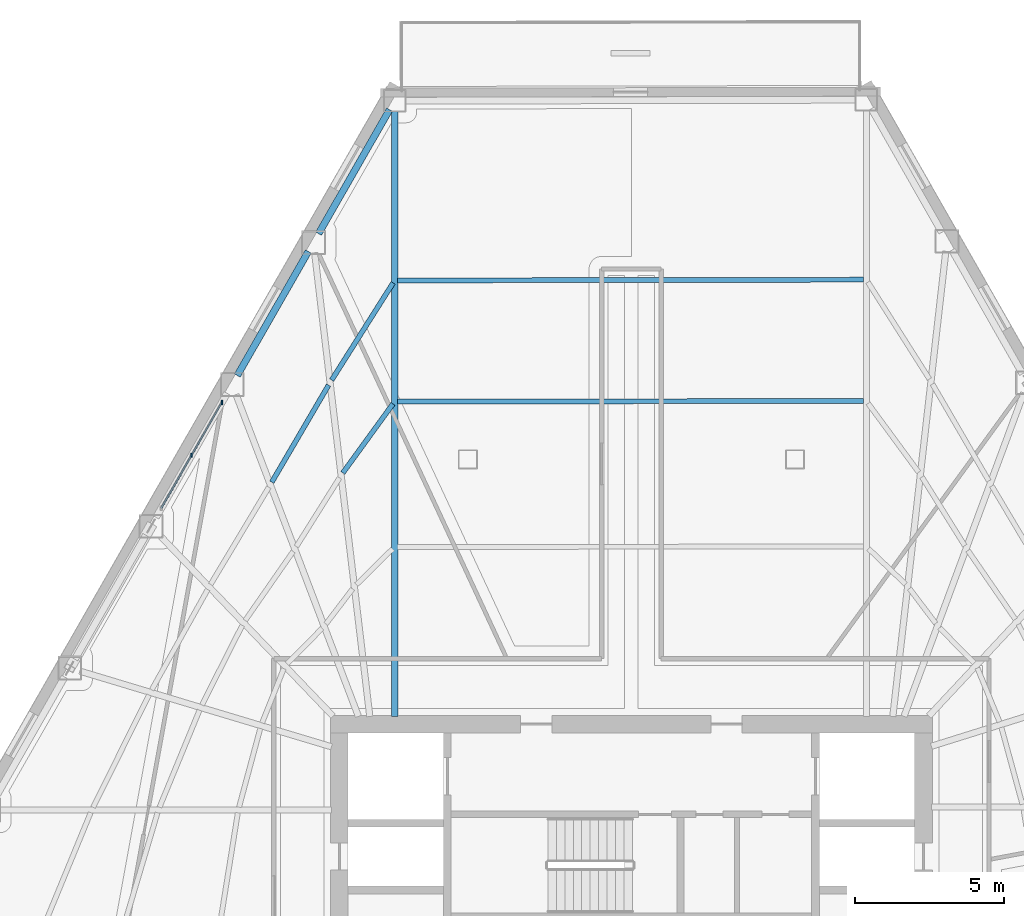
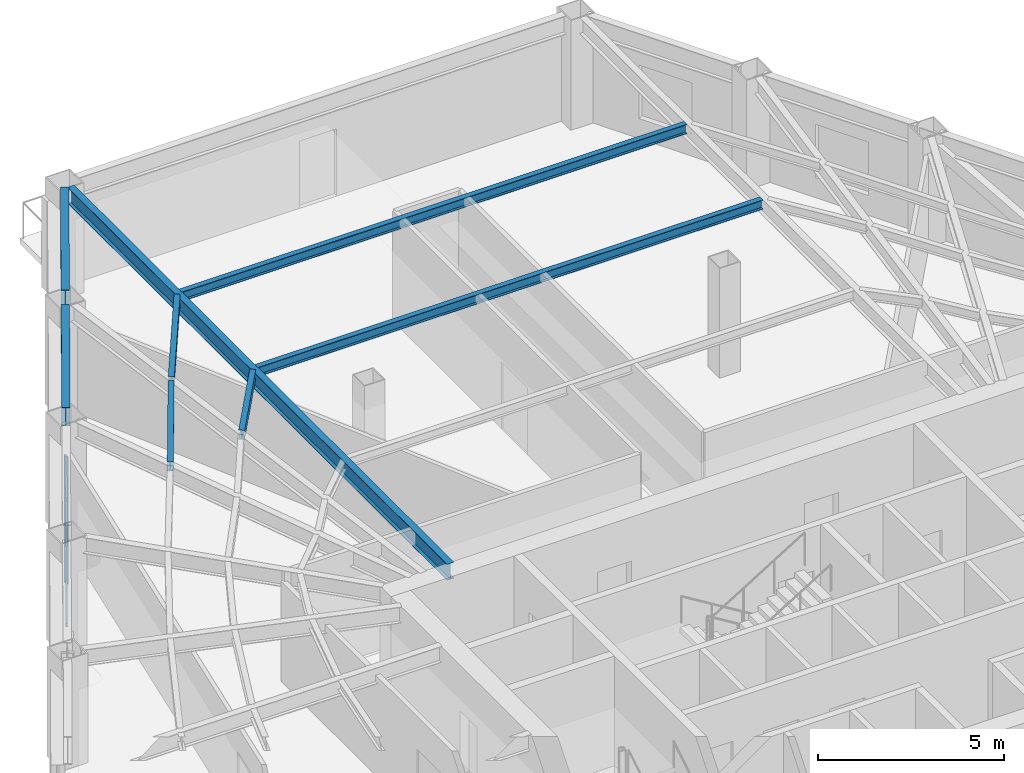
# One storey, part 4 of 14: 8 beams, 4 members, 1 element without a shape of its own.
"""IFC4 building model written with IfcOpenShell, lengths in metres."""

from ifc_helpers import new_model, si_unit, direction, frame, origin, origin_2d, place, context, subcontext, project, spatial, rectangle, i_section, extrude, material, layer, layer_set, material_profile, profile_set, type_object, element, aggregate, save


model = new_model("IFC4")

# Units and contexts
model_context = context("Model", 3, precision=1e-05, world=origin(), true_north=direction((0.0, 1.0)))
body_context = subcontext(model_context, "Body", "Model", "MODEL_VIEW")
ifc_project = project(units=[si_unit("LENGTHUNIT", "METRE"), si_unit("AREAUNIT", "SQUARE_METRE"), si_unit("VOLUMEUNIT", "CUBIC_METRE"), si_unit("PLANEANGLEUNIT", "RADIAN"), si_unit("MASSUNIT", "GRAM", prefix="KILO")], contexts=[model_context])

# Site, building, storey
site_placement = place(None, origin())
site = spatial("IfcSite", under=ifc_project, at=site_placement, CompositionType="ELEMENT")
building_placement = place(site_placement, origin())
building = spatial("IfcBuilding", under=site, at=building_placement, Name="Kavelnor Concourse Tower", CompositionType="ELEMENT")
storey_placement = place(building_placement, frame((0.0, 0.0, 17.550048828125)))
storey = spatial("IfcBuildingStorey", under=building, at=storey_placement, Name="L04", CompositionType="ELEMENT", Elevation=17.550048828125)

# Beams
ifc_material_1 = material(Name="Steel Grade 350", Category="steel")
ifc_material_profile_1 = material_profile(ifc_material_1, i_section(OverallWidth=0.166015625, OverallDepth=0.306884765625, WebThickness=0.006591796875, FlangeThickness=0.01171875, at=origin_2d()), Name="310UB46")
ifc_profile_set_1 = profile_set([ifc_material_profile_1], Name="Steel Grade 350")
beam_type_1 = type_object("IfcBeamType", Name="BM-JOIST-310", PredefinedType="JOIST", material=ifc_profile_set_1)
for number, where, z_axis, x_axis, name in (
    (1, (45.7978515625, 33.7626953125, 3.4365234375), (-0.999999352183, -0.001138258817, 0.0), (0.001138258817, -0.999999352183, 0.0), "L04 Secondary Composite Joist 15-2"),
    (2, (45.7978515625, 37.840576171875, 3.4365234375), (-0.999998759922, -0.001574850307, 0.0), (0.001574850307, -0.999998759922, 0.0), "L04 Secondary Composite Joist 15-3"),
):
    element("IfcBeam", number, at=place(storey_placement, frame(where, z_axis=z_axis, x_axis=x_axis)), inside=storey, type_object=beam_type_1, Name=name, PredefinedType="JOIST", context=body_context, shape_type="SweptSolid", body=[
        extrude(i_section(OverallWidth=0.166015625, OverallDepth=0.306884765625, WebThickness=0.006591796875, FlangeThickness=0.01171875, at=origin_2d()), origin(), (0.0, 0.0, 1.0), 15.657470703125),
    ])
beam_1_placement = place(storey_placement, frame((29.98388671875, 33.6650390625, 3.4365234375), z_axis=(-0.58756891849, -0.809174125899, 0.0), x_axis=(0.809174125899, -0.58756891849, 0.0)))
element("IfcBeam", 3, at=beam_1_placement, inside=storey, type_object=beam_type_1, Name="L04 Secondary Composite Joist 16-2", PredefinedType="JOIST", context=body_context, shape_type="SweptSolid", body=[
    extrude(i_section(OverallWidth=0.166015625, OverallDepth=0.306884765625, WebThickness=0.006591796875, FlangeThickness=0.01171875, at=origin_2d()), origin(), (0.0, 0.0, 1.0), 2.86669921875),
])
beam_2_placement = place(storey_placement, frame((29.9892578125, 37.732666015625, 3.4365234375), z_axis=(-0.53449439191, -0.845172020962, 0.0), x_axis=(0.845172020962, -0.53449439191, 0.0)))
element("IfcBeam", 4, at=beam_2_placement, inside=storey, type_object=beam_type_1, Name="L04 Secondary Composite Joist 16-3", PredefinedType="JOIST", context=body_context, shape_type="SweptSolid", body=[
    extrude(i_section(OverallWidth=0.166015625, OverallDepth=0.306884765625, WebThickness=0.006591796875, FlangeThickness=0.01171875, at=origin_2d()), origin(), (0.0, 0.0, 1.0), 3.86474609375),
])
beam_3_placement = place(storey_placement, frame((27.821044921875, 34.298095703125, 3.4365234375), z_axis=(-0.504958659372, -0.863143529389, 0.0), x_axis=(0.863143529389, -0.504958659372, 0.0)))
element("IfcBeam", 5, at=beam_3_placement, inside=storey, type_object=beam_type_1, Name="L04 Secondary Composite Joist 17-3", PredefinedType="JOIST", context=body_context, shape_type="SweptSolid", body=[
    extrude(i_section(OverallWidth=0.166015625, OverallDepth=0.306884765625, WebThickness=0.006591796875, FlangeThickness=0.01171875, at=origin_2d()), origin(), (0.0, 0.0, 1.0), 3.78076171875),
])
ifc_material_profile_2 = material_profile(ifc_material_1, i_section(OverallWidth=0.208984375, OverallDepth=0.528076171875, WebThickness=0.009521484375, FlangeThickness=0.01318359375, at=origin_2d()), Name="530UB82")
ifc_profile_set_2 = profile_set([ifc_material_profile_2], Name="Steel Grade 350")
beam_type_2 = type_object("IfcBeamType", Name="BM-PRIMARY-530", PredefinedType="BEAM", material=ifc_profile_set_2)
beam_4_placement = place(storey_placement, frame((30.041748046875, 23.159912109375, 3.325927734375), z_axis=(0.0, 1.0, 0.0), x_axis=(-1.0, 0.0, 0.0)))
element("IfcBeam", 6, at=beam_4_placement, inside=storey, type_object=beam_type_2, Name="L04 Primary Floor Girder F0-B0", PredefinedType="BEAM", context=body_context, shape_type="SweptSolid", body=[
    extrude(i_section(OverallWidth=0.208984375, OverallDepth=0.528076171875, WebThickness=0.009521484375, FlangeThickness=0.01318359375, at=origin_2d()), origin(), (0.0, 0.0, 1.0), 20.35546875),
])
ifc_material_profile_3 = material_profile(ifc_material_1, i_section(OverallWidth=0.22900390625, OverallDepth=0.612060546875, WebThickness=0.011962890625, FlangeThickness=0.01953125, at=origin_2d()), Name="610UB125")
ifc_profile_set_3 = profile_set([ifc_material_profile_3], Name="Steel Grade 350")
beam_type_3 = type_object("IfcBeamType", Name="BM-SPANDREL-Z1", PredefinedType="SPANDREL", material=ifc_profile_set_3)
for number, where, z_axis, x_axis, name in (
    (7, (29.870361328125, 43.555908203125, 3.283935546875), (-0.497052608888, -0.867720406581, 0.0), (0.867720406581, -0.497052608888, 0.0), "L04 Perimeter Tube Spandrel Beam F0-B0"),
    (8, (27.139404296875, 38.78857421875, 3.283935546875), (-0.497014344465, -0.867742324308, 0.0), (0.867742324308, -0.497014344465, 0.0), "L04 Perimeter Tube Spandrel Beam F0-B1"),
):
    element("IfcBeam", number, at=place(storey_placement, frame(where, z_axis=z_axis, x_axis=x_axis)), inside=storey, type_object=beam_type_3, Name=name, PredefinedType="SPANDREL", context=body_context, shape_type="SweptSolid", body=[
        extrude(i_section(OverallWidth=0.22900390625, OverallDepth=0.612060546875, WebThickness=0.011962890625, FlangeThickness=0.01953125, at=origin_2d()), origin(), (0.0, 0.0, 1.0), 4.80419921875),
    ])

# Curtain wall, members
ifc_material_2 = material(Name="Anodised aluminium 6063-T6", Category="aluminium")
ifc_layer = layer(ifc_material_2, 0.139892578125, Name="Anodised aluminium 6063-T6")
ifc_layer_set = layer_set([ifc_layer], Name="Anodised aluminium 6063-T6")
curtain_wall_type = type_object("IfcCurtainWallType", Name="CW-TERRACE-PAVILION", PredefinedType="NOTDEFINED", material=ifc_layer_set)
curtain_wall_placement = place(storey_placement, origin())
curtain_wall = element("IfcCurtainWall", 9, at=curtain_wall_placement, inside=storey, type_object=curtain_wall_type, Name="L04 Terrace Pavilion Curtain Wall", PredefinedType="NOTDEFINED")
ifc_material_profile_4 = material_profile(ifc_material_2, rectangle(XDim=0.054931640625, YDim=0.139892578125, at=origin_2d()), Name="AL-MULL 55x140")
ifc_profile_set_4 = profile_set([ifc_material_profile_4], Name="Anodised aluminium 6063-T6")
member_type_1 = type_object("IfcMemberType", Name="CW-TERRACE-PAVILION-MULL", PredefinedType="MULLION", material=ifc_profile_set_4)
member_1_placement = place(storey_placement, frame((24.232421875, 33.712890625, 0.0), z_axis=(0.0, 0.0, 1.0), x_axis=(1.0, 0.0, 0.0)))
member_1 = element("IfcMember", 10, at=member_1_placement, type_object=member_type_1, Name="L04 Terrace Pavilion Curtain Wall Mullion 0", PredefinedType="MULLION", context=body_context, shape_type="SweptSolid", body=[
    extrude(rectangle(XDim=0.054931640625, YDim=0.139892578125, at=origin_2d()), origin(), (0.0, 0.0, 1.0), 2.75),
])
member_2_placement = place(storey_placement, frame((23.21484375, 31.936767578125, 0.0), z_axis=(0.0, 0.0, 1.0), x_axis=(1.0, 0.0, 0.0)))
member_2 = element("IfcMember", 11, at=member_2_placement, type_object=member_type_1, Name="L04 Terrace Pavilion Curtain Wall Mullion 1", PredefinedType="MULLION", context=body_context, shape_type="SweptSolid", body=[
    extrude(rectangle(XDim=0.054931640625, YDim=0.139892578125, at=origin_2d()), origin(), (0.0, 0.0, 1.0), 2.75),
])
ifc_material_profile_5 = material_profile(ifc_material_2, rectangle(XDim=0.054931640625, YDim=0.1201171875, at=origin_2d()), Name="AL-TRAN 55x120")
ifc_profile_set_5 = profile_set([ifc_material_profile_5], Name="Anodised aluminium 6063-T6")
member_type_2 = type_object("IfcMemberType", Name="CW-TERRACE-PAVILION-TRAN", PredefinedType="USERDEFINED", material=ifc_profile_set_5)
member_3_placement = place(storey_placement, frame((24.232421875, 33.712890625, 0.06005859375), z_axis=(-0.497089077174, -0.86769951559, 0.0), x_axis=(0.86769951559, -0.497089077174, 0.0)))
member_3 = element("IfcMember", 12, at=member_3_placement, type_object=member_type_2, Name="L04 Terrace Pavilion Curtain Wall Transom 0-BOT", ObjectType="TRANSOM", PredefinedType="USERDEFINED", context=body_context, shape_type="SweptSolid", body=[
    extrude(rectangle(XDim=0.054931640625, YDim=0.1201171875, at=origin_2d()), origin(), (0.0, 0.0, 1.0), 4.09423828125),
])
member_4_placement = place(storey_placement, frame((24.232421875, 33.712890625, 2.68994140625), z_axis=(-0.497089077174, -0.86769951559, 0.0), x_axis=(0.86769951559, -0.497089077174, 0.0)))
member_4 = element("IfcMember", 13, at=member_4_placement, type_object=member_type_2, Name="L04 Terrace Pavilion Curtain Wall Transom 0-TOP", ObjectType="TRANSOM", PredefinedType="USERDEFINED", context=body_context, shape_type="SweptSolid", body=[
    extrude(rectangle(XDim=0.054931640625, YDim=0.1201171875, at=origin_2d()), origin(), (0.0, 0.0, 1.0), 4.09423828125),
])
aggregate(curtain_wall, [member_1, member_2, member_3, member_4])

save(model, "model.ifc")
